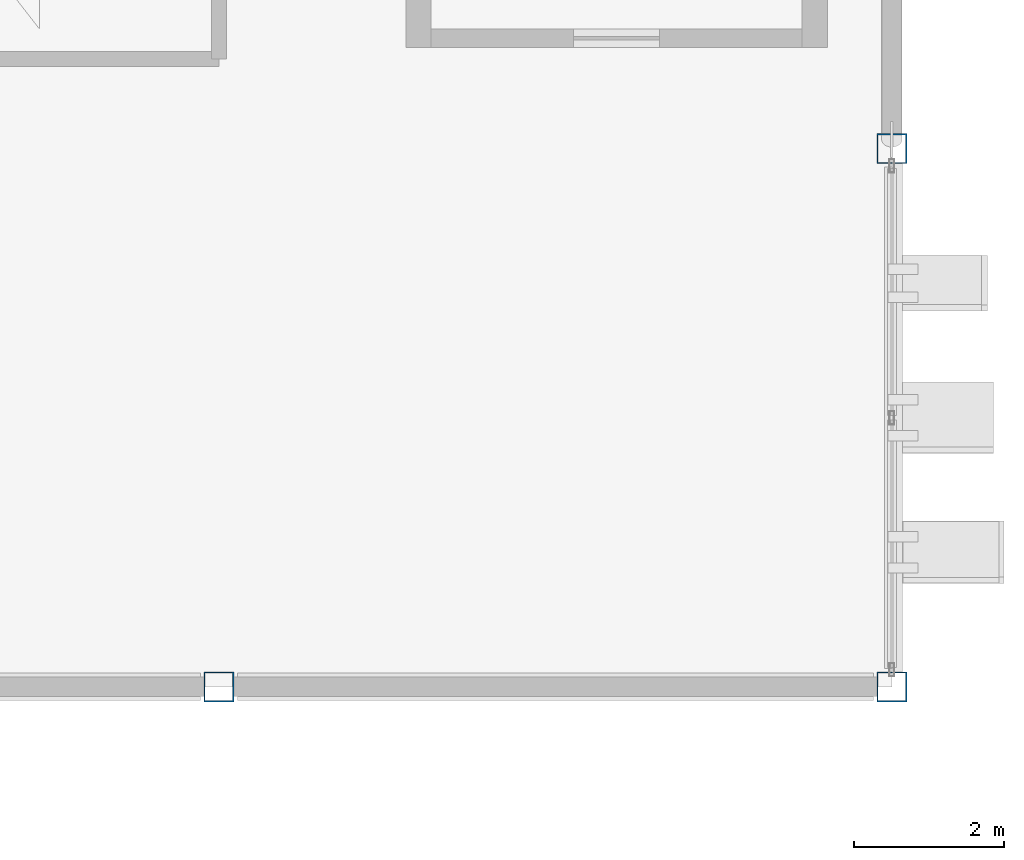
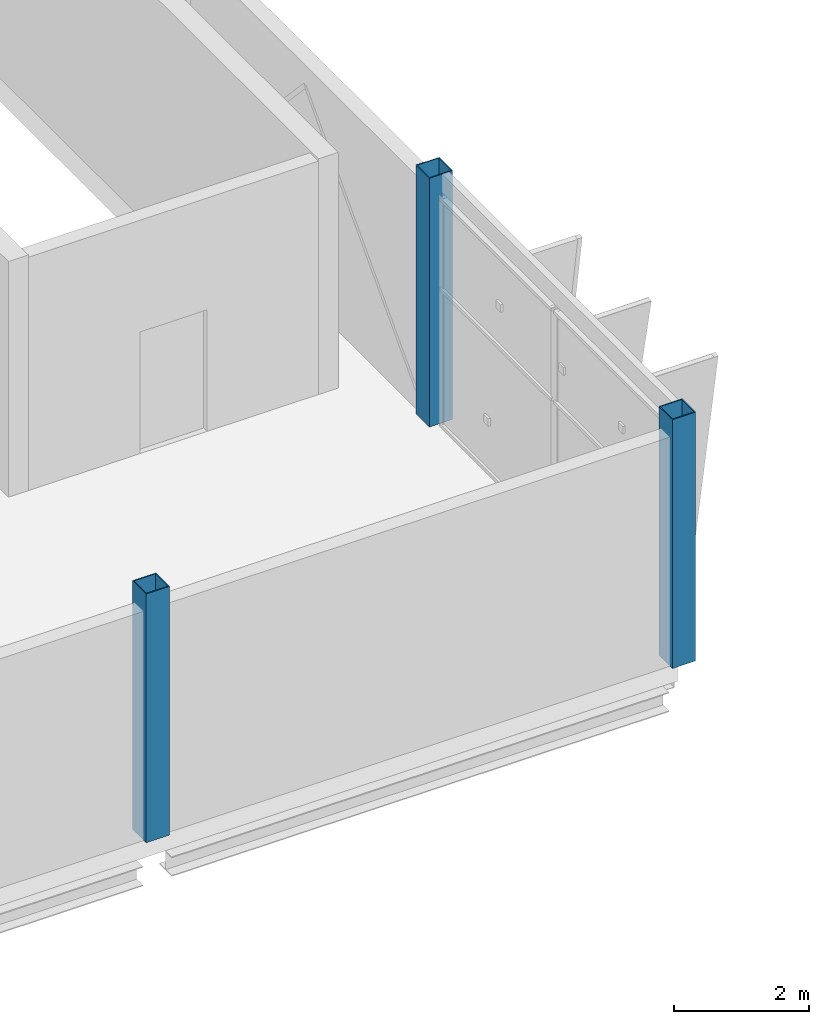
# One storey, part 10 of 151: 3 columns.
"""IFC4 building model written with IfcOpenShell, lengths in metres."""

from ifc_helpers import new_model, si_unit, direction, frame, origin, origin_2d, place, context, subcontext, project, spatial, hollow_rectangle, extrude, material, material_profile, profile_set, type_object, element, save


model = new_model("IFC4")

# Units and contexts
model_context = context("Model", 3, precision=1e-05, world=origin(), true_north=direction((0.0, 1.0)))
body_context = subcontext(model_context, "Body", "Model", "MODEL_VIEW")
ifc_project = project(units=[si_unit("LENGTHUNIT", "METRE"), si_unit("AREAUNIT", "SQUARE_METRE"), si_unit("VOLUMEUNIT", "CUBIC_METRE"), si_unit("PLANEANGLEUNIT", "RADIAN"), si_unit("MASSUNIT", "GRAM", prefix="KILO")], contexts=[model_context])

# Site, building, storey
site_placement = place(None, origin())
site = spatial("IfcSite", under=ifc_project, at=site_placement, CompositionType="ELEMENT")
building_placement = place(site_placement, origin())
building = spatial("IfcBuilding", under=site, at=building_placement, Name="Celestram Park Convention Centre", CompositionType="ELEMENT")
storey_placement = place(building_placement, frame((0.0, 0.0, 10.800048828125)))
storey = spatial("IfcBuildingStorey", under=building, at=storey_placement, Name="L02", CompositionType="ELEMENT", Elevation=10.800048828125)

# Columns
ifc_material = material(Name="Steel ASTM A500 Grade C", Category="steel")
ifc_material_profile = material_profile(ifc_material, hollow_rectangle(XDim=0.39990234375, YDim=0.39990234375, WallThickness=0.01611328125, at=origin_2d()), Name="HSS400X400X16")
ifc_profile_set = profile_set([ifc_material_profile], Name="Steel ASTM A500 Grade C")
column_type = type_object("IfcColumnType", Name="STR-COL-HSS400", PredefinedType="COLUMN", material=ifc_profile_set)
for number, where, z_axis, x_axis, name in (
    (1, (207.0, 115.199951171875, 0.0), (0.0, 0.0, 1.0), (1.0, 0.0, 0.0), "Column CN-L02-221"),
    (2, (216.0, 115.199951171875, 0.0), (0.0, 0.0, 1.0), (1.0, 0.0, 0.0), "Column CN-L02-229"),
    (3, (216.0, 122.39990234375, 0.0), (0.0, 0.0, 1.0), (1.0, 0.0, 0.0), "Column CN-L02-230"),
):
    element("IfcColumn", number, at=place(storey_placement, frame(where, z_axis=z_axis, x_axis=x_axis)), inside=storey, type_object=column_type, Name=name, PredefinedType="COLUMN", context=body_context, shape_type="SweptSolid", body=[
        extrude(hollow_rectangle(XDim=0.39990234375, YDim=0.39990234375, WallThickness=0.01611328125, at=origin_2d()), origin(), (0.0, 0.0, 1.0), 4.5),
    ])

save(model, "model.ifc")
